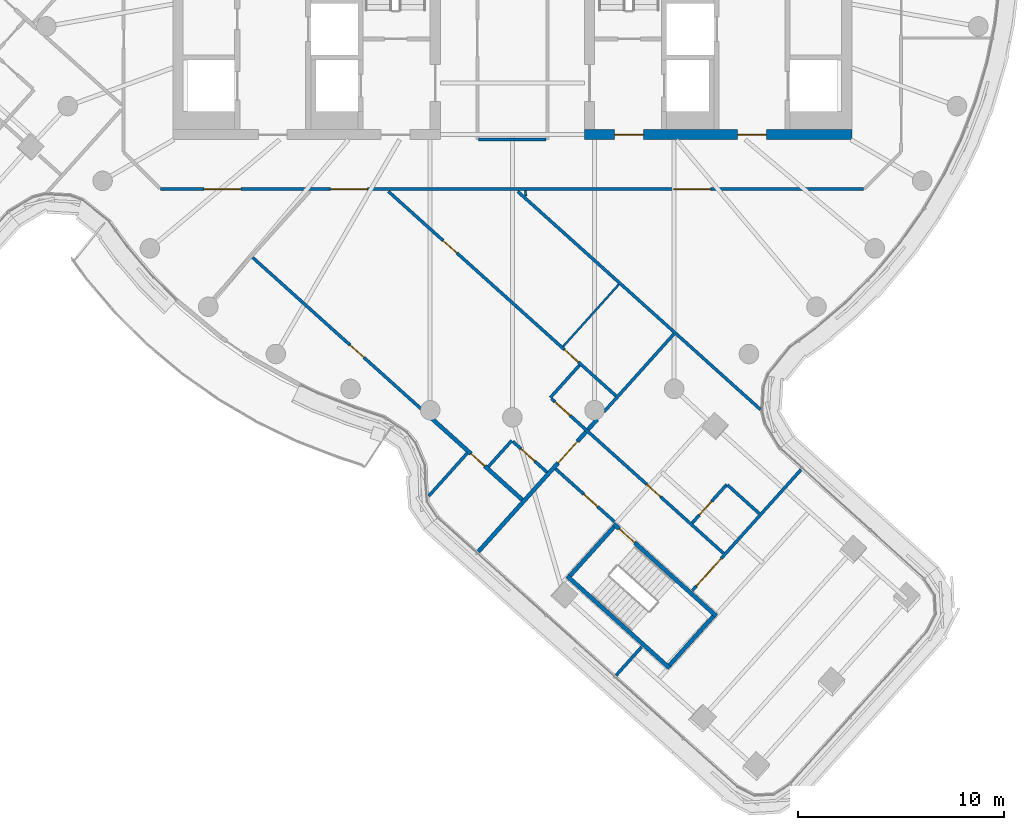
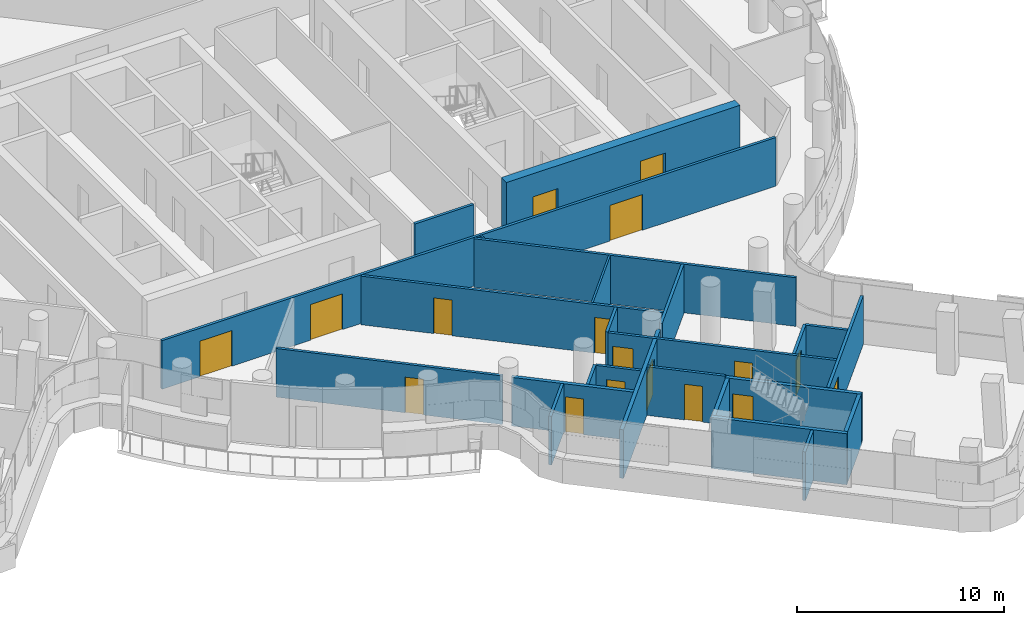
# One storey, part 19 of 31: 25 walls, 17 doors, 17 openings.
"""IFC4 building model written with IfcOpenShell, lengths in metres."""

import ifcopenshell
import ifcopenshell.guid

model = None  # the IFC model being written
_history = None  # IfcOwnerHistory: only IFC2X3 demands one
_inside = {}  # id of a spatial element -> (the spatial element, [elements in it])
_under = {}  # id of a project, library or spatial element -> (it, [spatial elements below it])
_declared = {}  # id of a project -> (the project, [libraries it declares])
_typed = {}  # id of a type object -> (the type object, [elements of that type])
_made_of = {}  # id of a material, layer set ... -> (it, [elements and type objects made of it])


def new_model(schema):
    """Start an empty IFC model of exactly this schema.

    Asked for "IFC4X3", IfcOpenShell would pick the latest addendum, in which some entities
    have other attributes; the version numbers below select the first issue.
    IFC2X3 requires an IfcOwnerHistory on every rooted entity: one is made here for all.
    """
    global model, _history
    if schema == "IFC4X3":
        model = ifcopenshell.file(schema_version=(4, 3, 0, 0))
    else:
        model = ifcopenshell.file(schema=schema)
    _inside.clear()
    _under.clear()
    _declared.clear()
    _typed.clear()
    _made_of.clear()
    _history = None
    if model.schema == "IFC2X3":
        org = make("IfcOrganization", Name="unknown")
        user = make(
            "IfcPersonAndOrganization",
            ThePerson=make("IfcPerson", FamilyName="unknown"),
            TheOrganization=org,
        )
        app = make(
            "IfcApplication",
            ApplicationDeveloper=org,
            Version="unknown",
            ApplicationFullName="unknown",
            ApplicationIdentifier="unknown",
        )
        _history = make(
            "IfcOwnerHistory",
            OwningUser=user,
            OwningApplication=app,
            ChangeAction="ADDED",
            CreationDate=0,
        )
    return model


def make(cls, **values):
    """One entity of the class cls with the attributes given. An attribute that is None is left unset."""
    return model.create_entity(
        cls, **{name: value for name, value in values.items() if value is not None}
    )


def rooted(cls, **values):
    """An entity with a GlobalId (a new one), such as an element, a storey or a relation."""
    return make(cls, GlobalId=ifcopenshell.guid.new(), OwnerHistory=_history, **values)


def si_unit(unit_type, name, prefix=None):
    """IfcSIUnit, for example si_unit("LENGTHUNIT", "METRE", prefix="MILLI")."""
    return make("IfcSIUnit", UnitType=unit_type, Prefix=prefix, Name=name)


def assignment(units):
    """IfcUnitAssignment: the units of a project."""
    return None if units is None else make("IfcUnitAssignment", Units=units)


def point(xyz):
    """IfcCartesianPoint."""
    return None if xyz is None else make("IfcCartesianPoint", Coordinates=xyz)


def direction(xyz):
    """IfcDirection."""
    return None if xyz is None else make("IfcDirection", DirectionRatios=xyz)


def frame(location, z_axis=None, x_axis=None):
    """IfcAxis2Placement3D, a coordinate frame: its origin and axes. An axis left out is left unset."""
    return make(
        "IfcAxis2Placement3D",
        Location=point(location),
        Axis=direction(z_axis),
        RefDirection=direction(x_axis),
    )


def frame_2d(location, x_axis=None):
    """IfcAxis2Placement2D, a coordinate frame in the plane: its origin and x axis."""
    return make(
        "IfcAxis2Placement2D", Location=point(location), RefDirection=direction(x_axis)
    )


def origin():
    """The frame at (0, 0, 0) with its axes left unset."""
    return frame((0.0, 0.0, 0.0))


def place(relative_to, where):
    """IfcLocalPlacement: puts the frame where relative to a parent placement (None: the world)."""
    return make(
        "IfcLocalPlacement", PlacementRelTo=relative_to, RelativePlacement=where
    )


def context(
    kind, dimensions, precision=None, world=None, true_north=None, identifier=None
):
    """IfcGeometricRepresentationContext, for example the 3D "Model" context."""
    return make(
        "IfcGeometricRepresentationContext",
        ContextIdentifier=identifier,
        ContextType=kind,
        CoordinateSpaceDimension=dimensions,
        Precision=precision,
        WorldCoordinateSystem=world,
        TrueNorth=true_north,
    )


def subcontext(parent, identifier, kind, view, scale=None):
    """IfcGeometricRepresentationSubContext, for example "Body" below "Model"."""
    return make(
        "IfcGeometricRepresentationSubContext",
        ContextIdentifier=identifier,
        ContextType=kind,
        ParentContext=parent,
        TargetScale=scale,
        TargetView=view,
    )


def project(units=None, contexts=None):
    """IfcProject with its units and contexts."""
    return rooted(
        "IfcProject",
        Name="project",
        RepresentationContexts=contexts,
        UnitsInContext=assignment(units),
    )


def spatial(cls, under=None, at=None, **own):
    """A site, building, storey or space (cls), placed at a placement, below another one or the project."""
    s = rooted(cls, ObjectPlacement=at, **own)
    if under is not None:
        _under.setdefault(under.id(), (under, []))[1].append(s)
    return s


def polyline(points):
    """IfcPolyline through the points."""
    return make("IfcPolyline", Points=[point(p) for p in points])


def profile(cls, at=None, kind="AREA", **sizes):
    """A parametric profile (cls). Its sizes go by their IFC names, for example OverallWidth=200.0."""
    return make(cls, ProfileType=kind, Position=at, **sizes)


def rectangle(**sizes):
    """IfcRectangleProfileDef."""
    return profile("IfcRectangleProfileDef", **sizes)


def outline(outer, holes=None, kind="AREA"):
    """IfcArbitraryClosedProfileDef: a profile drawn as a closed curve; with holes, ...WithVoids."""
    if holes is None:
        return make("IfcArbitraryClosedProfileDef", ProfileType=kind, OuterCurve=outer)
    return make(
        "IfcArbitraryProfileDefWithVoids",
        ProfileType=kind,
        OuterCurve=outer,
        InnerCurves=holes,
    )


def extrude(swept, where, along, depth):
    """IfcExtrudedAreaSolid: the profile swept, set in the frame where, extruded along a direction by depth."""
    return make(
        "IfcExtrudedAreaSolid",
        SweptArea=swept,
        Position=where,
        ExtrudedDirection=direction(along),
        Depth=depth,
    )


def shape(context_of_items, identifier, shape_type, items):
    """IfcShapeRepresentation: the items that make up one representation, for example the "Body"."""
    return make(
        "IfcShapeRepresentation",
        ContextOfItems=context_of_items,
        RepresentationIdentifier=identifier,
        RepresentationType=shape_type,
        Items=items,
    )


def material(Name=None, Category=None):
    """IfcMaterial."""
    return make("IfcMaterial", Name=Name, Category=Category)


def layer(
    of_material, thickness, ventilated=None, Name=None, Category=None, Priority=None
):
    """IfcMaterialLayer: one layer of a wall or slab, of a material (None: an air gap)."""
    return make(
        "IfcMaterialLayer",
        Material=of_material,
        LayerThickness=thickness,
        IsVentilated=ventilated,
        Name=Name,
        Category=Category,
        Priority=Priority,
    )


def layer_set(layers, Name=None):
    """IfcMaterialLayerSet."""
    return make("IfcMaterialLayerSet", MaterialLayers=layers, LayerSetName=Name)


def made_of(thing, what):
    """Note that an element or type object is made of a material, layer set ...; save() writes the relation."""
    if what is not None:
        _made_of.setdefault(what.id(), (what, []))[1].append(thing)
    return thing


def type_object(cls, material=None, **own):
    """A type object (cls), such as IfcWallType, which elements share."""
    return made_of(rooted(cls, **own), material)


def element(
    cls,
    number,
    at=None,
    inside=None,
    cuts=None,
    type_object=None,
    material=None,
    context=None,
    identifier="Body",
    shape_type=None,
    held_by="IfcProductDefinitionShape",
    body=None,
    shapes=None,
    **own,
):
    """One element of the class cls, such as IfcWall. Its Tag is "e" and its number.

    at: its placement. inside: the storey or other place that contains it. cuts: it is an
    opening in that element (IfcRelVoidsElement). A single representation is given by context,
    identifier, shape_type and body (its items); several are given by shapes. held_by: the class
    of the entity that holds the representations. save() writes the other relations.
    """
    e = rooted(cls, Tag="e%d" % number, ObjectPlacement=at, **own)
    if body is not None:
        shapes = [shape(context, identifier, shape_type, body)]
    if shapes is not None:
        e.Representation = make(held_by, Representations=shapes)
    if inside is not None:
        _inside.setdefault(inside.id(), (inside, []))[1].append(e)
    if cuts is not None:
        rooted(
            "IfcRelVoidsElement", RelatingBuildingElement=cuts, RelatedOpeningElement=e
        )
    if type_object is not None:
        _typed.setdefault(type_object.id(), (type_object, []))[1].append(e)
    return made_of(e, material)


def fill(opening, filler):
    """IfcRelFillsElement: the door or window that sits in an opening."""
    return rooted(
        "IfcRelFillsElement",
        RelatingOpeningElement=opening,
        RelatedBuildingElement=filler,
    )


def aggregate(whole, parts):
    """IfcRelAggregates: a whole, such as a stair, and the parts it consists of."""
    return rooted("IfcRelAggregates", RelatingObject=whole, RelatedObjects=parts)


def save(model, path):
    """Write the relations noted so far, then the file.

    IfcRelAggregates (storeys below a building ...), IfcRelContainedInSpatialStructure (elements
    in a storey), IfcRelDefinesByType, IfcRelAssociatesMaterial and IfcRelDeclares: one each for
    every whole, place, type object, material and project.
    """
    for whole, parts in _under.values():
        aggregate(whole, parts)
    for where, things in _inside.values():
        rooted(
            "IfcRelContainedInSpatialStructure",
            RelatedElements=things,
            RelatingStructure=where,
        )
    for kind, things in _typed.values():
        rooted("IfcRelDefinesByType", RelatedObjects=things, RelatingType=kind)
    for what, things in _made_of.values():
        rooted("IfcRelAssociatesMaterial", RelatedObjects=things, RelatingMaterial=what)
    for by, libraries in _declared.values():
        rooted("IfcRelDeclares", RelatingContext=by, RelatedDefinitions=libraries)
    model.write(path)


model = new_model("IFC4")

# Units and contexts
model_context = context("Model", 3, precision=1e-05, world=origin(), true_north=direction((0.0, 1.0)))
body_context = subcontext(model_context, "Body", "Model", "MODEL_VIEW")
ifc_project = project(units=[si_unit("LENGTHUNIT", "METRE"), si_unit("AREAUNIT", "SQUARE_METRE"), si_unit("VOLUMEUNIT", "CUBIC_METRE"), si_unit("PLANEANGLEUNIT", "RADIAN"), si_unit("MASSUNIT", "GRAM", prefix="KILO")], contexts=[model_context])

# Site, building, storey
site_placement = place(None, origin())
site = spatial("IfcSite", under=ifc_project, at=site_placement, CompositionType="ELEMENT")
building_placement = place(site_placement, origin())
building = spatial("IfcBuilding", under=site, at=building_placement, Name="Tamarind Cross Interchange Tower", CompositionType="ELEMENT")
storey_placement = place(building_placement, frame((0.0, 0.0, 207.699951171875)))
storey = spatial("IfcBuildingStorey", under=building, at=storey_placement, Name="L52", CompositionType="ELEMENT", Elevation=207.699951171875)

# Wall, openings, doors
ifc_material_1 = material(Name="Concrete C55", Category="concrete")
ifc_layer_1 = layer(ifc_material_1, 0.5)
ifc_layer_set_1 = layer_set([ifc_layer_1], Name="Concrete C55")
wall_type_1 = type_object("IfcWallType", Name="Core wall 500 mm Concrete C55", PredefinedType="SHEAR", material=ifc_layer_set_1)
wall_1_placement = place(storey_placement, frame((16.5, -9.25, 0.0), z_axis=(0.0, 0.0, 1.0), x_axis=(-1.0, 0.0, 0.0)))
wall_1 = element("IfcWall", 1, at=wall_1_placement, inside=storey, type_object=wall_type_1, Name="Core wall CWL-L52-E-S", PredefinedType="SHEAR", context=body_context, shape_type="SweptSolid", body=[
    extrude(rectangle(XDim=13.0, YDim=0.5, at=frame_2d((6.5, 0.0))), origin(), (0.0, 0.0, 1.0), 3.4599609375),
])
opening_1_placement = place(wall_1_placement, frame((4.14990234375, 0.0, 0.0)))
opening_1 = element("IfcOpeningElement", 2, at=opening_1_placement, cuts=wall_1, Name="Opening DCE1", PredefinedType="OPENING", context=body_context, shape_type="SweptSolid", body=[
    extrude(rectangle(XDim=1.39990234375, YDim=2.10009765625, at=frame_2d((0.699951171875, 1.050048828125))), frame((0.0, 0.260009765625, 0.0), z_axis=(0.0, -1.0, 0.0), x_axis=(1.0, 0.0, 0.0)), (0.0, 0.0, 1.0), 0.52001953125),
])
opening_2_placement = place(wall_1_placement, frame((10.125, 0.0, 0.0)))
opening_2 = element("IfcOpeningElement", 3, at=opening_2_placement, cuts=wall_1, Name="Opening DCEF", PredefinedType="OPENING", context=body_context, shape_type="SweptSolid", body=[
    extrude(rectangle(XDim=1.39990234375, YDim=2.10009765625, at=frame_2d((0.699951171875, 1.050048828125))), frame((0.0, 0.260009765625, 0.0), z_axis=(0.0, -1.0, 0.0), x_axis=(1.0, 0.0, 0.0)), (0.0, 0.0, 1.0), 0.52001953125),
])
ifc_material_2 = material(Name="Steel, fire-resisting", Category="steel")
door_type_1 = type_object("IfcDoorType", Name="Core fire door 1400 x 2100 FD90", OperationType="SINGLE_SWING_LEFT", PredefinedType="DOOR", material=ifc_material_2)
door_1_placement = place(opening_1_placement, origin())
door_1 = element("IfcDoor", 4, at=door_1_placement, inside=storey, type_object=door_type_1, Name="L52 lift lobby door", OperationType="SINGLE_SWING_LEFT", OverallHeight=2.10009765625, OverallWidth=1.39990234375, PredefinedType="DOOR", context=body_context, shape_type="SweptSolid", body=[
    extrude(rectangle(XDim=1.39990234375, YDim=2.10009765625, at=frame_2d((0.699951171875, 1.050048828125))), frame((0.0, 0.02490234375, 0.0), z_axis=(0.0, -1.0, 0.0), x_axis=(1.0, 0.0, 0.0)), (0.0, 0.0, 1.0), 0.050048828125),
])
fill(opening_1, door_1)
door_2_placement = place(opening_2_placement, origin())
door_2 = element("IfcDoor", 5, at=door_2_placement, inside=storey, type_object=door_type_1, Name="L52 firefighting lobby end door", OperationType="SINGLE_SWING_LEFT", OverallHeight=2.10009765625, OverallWidth=1.39990234375, PredefinedType="DOOR", context=body_context, shape_type="SweptSolid", body=[
    extrude(rectangle(XDim=1.39990234375, YDim=2.10009765625, at=frame_2d((0.699951171875, 1.050048828125))), frame((0.0, 0.02490234375, 0.0), z_axis=(0.0, -1.0, 0.0), x_axis=(1.0, 0.0, 0.0)), (0.0, 0.0, 1.0), 0.050048828125),
])
fill(opening_2, door_2)

# Walls
ifc_material_3 = material(Name="Gypsum board partition on steel studs", Category="steel")
ifc_layer_2 = layer(ifc_material_3, 0.10009765625)
ifc_layer_set_2 = layer_set([ifc_layer_2], Name="Gypsum board partition on steel studs")
wall_type_2 = type_object("IfcWallType", Name="Partition 100 mm EI 90", PredefinedType="PARTITIONING", material=ifc_layer_set_2)
wall_2_placement = place(storey_placement, frame((0.639404296875, -11.9599609375, 0.0), z_axis=(0.0, 0.0, 1.0), x_axis=(0.05343233318, -0.99857147254, 0.0)))
element("IfcWall", 6, at=wall_2_placement, inside=storey, type_object=wall_type_2, Name="Partition L52-001", PredefinedType="PARTITIONING", context=body_context, shape_type="SweptSolid", body=[
    extrude(rectangle(XDim=0.27880859375, YDim=0.10009765625, at=frame_2d((0.139404296875, 0.0))), origin(), (0.0, 0.0, 1.0), 2.864013671875),
])
wall_3_placement = place(storey_placement, frame((2.4736328125, -19.544921875, 0.0), z_axis=(0.0, 0.0, 1.0), x_axis=(0.668257628932, 0.74392993042, 0.0)))
element("IfcWall", 7, at=wall_3_placement, inside=storey, type_object=wall_type_2, Name="Partition L52-056", PredefinedType="PARTITIONING", context=body_context, shape_type="SweptSolid", body=[
    extrude(rectangle(XDim=4.045654296875, YDim=0.10009765625, at=frame_2d((2.02294921875, 0.0))), origin(), (0.0, 0.0, 1.0), 2.864013671875),
])

# Wall, opening, door
ifc_layer_3 = layer(ifc_material_3, 0.14990234375)
ifc_layer_set_3 = layer_set([ifc_layer_3], Name="Gypsum board partition on steel studs")
wall_type_3 = type_object("IfcWallType", Name="Partition 150 mm EI 120", PredefinedType="PARTITIONING", material=ifc_layer_set_3)
wall_4_placement = place(storey_placement, frame((-12.62646484375, -15.2255859375, 0.0), z_axis=(0.0, 0.0, 1.0), x_axis=(0.743821581371, -0.668378227567, 0.0)))
wall_4 = element("IfcWall", 8, at=wall_4_placement, inside=storey, type_object=wall_type_3, Name="Partition L52-015", PredefinedType="PARTITIONING", context=body_context, shape_type="SweptSolid", body=[
    extrude(rectangle(XDim=11.157958984375, YDim=0.14990234375, at=frame_2d((5.5791015625, 0.0))), origin(), (0.0, 0.0, 1.0), 2.864013671875),
])
opening_3_placement = place(wall_4_placement, frame((6.3701171875, 0.0, 0.0)))
opening_3 = element("IfcOpeningElement", 9, at=opening_3_placement, cuts=wall_4, Name="Opening D08", PredefinedType="OPENING", context=body_context, shape_type="SweptSolid", body=[
    extrude(rectangle(XDim=0.89990234375, YDim=2.10009765625, at=frame_2d((0.449951171875, 1.050048828125))), frame((0.0, 0.0849609375, 0.0), z_axis=(0.0, -1.0, 0.0), x_axis=(1.0, 0.0, 0.0)), (0.0, 0.0, 1.0), 0.169921875),
])
ifc_material_4 = material(Name="Fire-resisting door set")
door_type_2 = type_object("IfcDoorType", Name="Interior door 900 x 2100 FD60S", OperationType="SINGLE_SWING_LEFT", PredefinedType="DOOR", material=ifc_material_4)
door_3_placement = place(opening_3_placement, frame((0.89990234375, 0.0, 0.0), z_axis=(0.0, 0.0, 1.0), x_axis=(-1.0, 0.0, 0.0)))
door_3 = element("IfcDoor", 10, at=door_3_placement, inside=storey, type_object=door_type_2, Name="Door D08", OperationType="SINGLE_SWING_RIGHT", OverallHeight=2.10009765625, OverallWidth=0.89990234375, PredefinedType="DOOR", context=body_context, shape_type="SweptSolid", body=[
    extrude(rectangle(XDim=0.89990234375, YDim=2.10009765625, at=frame_2d((0.449951171875, 1.050048828125))), frame((0.0, 0.02490234375, 0.0), z_axis=(0.0, -1.0, 0.0), x_axis=(1.0, 0.0, 0.0)), (0.0, 0.0, 1.0), 0.050048828125),
])
fill(opening_3, door_3)

# Wall, openings, doors
wall_5_placement = place(storey_placement, frame((-6.027587890625, -12.013671875, 0.0), z_axis=(0.0, 0.0, 1.0), x_axis=(0.743847907663, -0.668348928528, 0.0)))
wall_5 = element("IfcWall", 11, at=wall_5_placement, inside=storey, type_object=wall_type_3, Name="Partition L52-021", PredefinedType="PARTITIONING", context=body_context, shape_type="SweptSolid", body=[
    extrude(rectangle(XDim=14.878173828125, YDim=0.14990234375, at=frame_2d((7.43896484375, 0.0))), origin(), (0.0, 0.0, 1.0), 2.864013671875),
])
opening_4_placement = place(wall_5_placement, frame((11.508056640625, 0.0, 0.0)))
opening_4 = element("IfcOpeningElement", 12, at=opening_4_placement, cuts=wall_5, Name="Opening D11", PredefinedType="OPENING", context=body_context, shape_type="SweptSolid", body=[
    extrude(rectangle(XDim=0.89990234375, YDim=2.10009765625, at=frame_2d((0.449951171875, 1.050048828125))), frame((0.0, 0.0849609375, 0.0), z_axis=(0.0, -1.0, 0.0), x_axis=(1.0, 0.0, 0.0)), (0.0, 0.0, 1.0), 0.169921875),
])
opening_5_placement = place(wall_5_placement, frame((3.580078125, 0.0, 0.0)))
opening_5 = element("IfcOpeningElement", 13, at=opening_5_placement, cuts=wall_5, Name="Opening D12", PredefinedType="OPENING", context=body_context, shape_type="SweptSolid", body=[
    extrude(rectangle(XDim=0.89990234375, YDim=2.10009765625, at=frame_2d((0.449951171875, 1.050048828125))), frame((0.0, 0.0849609375, 0.0), z_axis=(0.0, -1.0, 0.0), x_axis=(1.0, 0.0, 0.0)), (0.0, 0.0, 1.0), 0.169921875),
])
door_4_placement = place(opening_4_placement, origin())
door_4 = element("IfcDoor", 14, at=door_4_placement, inside=storey, type_object=door_type_2, Name="Door D11", OperationType="SINGLE_SWING_LEFT", OverallHeight=2.10009765625, OverallWidth=0.89990234375, PredefinedType="DOOR", context=body_context, shape_type="SweptSolid", body=[
    extrude(rectangle(XDim=0.89990234375, YDim=2.10009765625, at=frame_2d((0.449951171875, 1.050048828125))), frame((0.0, 0.02490234375, 0.0), z_axis=(0.0, -1.0, 0.0), x_axis=(1.0, 0.0, 0.0)), (0.0, 0.0, 1.0), 0.050048828125),
])
fill(opening_4, door_4)
door_5_placement = place(opening_5_placement, origin())
door_5 = element("IfcDoor", 15, at=door_5_placement, inside=storey, type_object=door_type_2, Name="Door D12", OperationType="SINGLE_SWING_RIGHT", OverallHeight=2.10009765625, OverallWidth=0.89990234375, PredefinedType="DOOR", context=body_context, shape_type="SweptSolid", body=[
    extrude(rectangle(XDim=0.89990234375, YDim=2.10009765625, at=frame_2d((0.449951171875, 1.050048828125))), frame((0.0, 0.02490234375, 0.0), z_axis=(0.0, -1.0, 0.0), x_axis=(1.0, 0.0, 0.0)), (0.0, 0.0, 1.0), 0.050048828125),
])
fill(opening_5, door_5)

# Wall, opening, door
wall_6_placement = place(storey_placement, frame((0.02783203125, -24.176025390625, 0.0), z_axis=(0.0, 0.0, 1.0), x_axis=(0.743795937291, -0.668406765128, 0.0)))
wall_6 = element("IfcWall", 16, at=wall_6_placement, inside=storey, type_object=wall_type_3, Name="Partition L52-025", PredefinedType="PARTITIONING", context=body_context, shape_type="SweptSolid", body=[
    extrude(rectangle(XDim=2.224853515625, YDim=0.14990234375, at=frame_2d((1.1123046875, 0.0))), origin(), (0.0, 0.0, 1.0), 2.864013671875),
])
opening_6_placement = place(wall_6_placement, frame((0.52490234375, 0.0, 0.0)))
opening_6 = element("IfcOpeningElement", 17, at=opening_6_placement, cuts=wall_6, Name="Opening D15", PredefinedType="OPENING", context=body_context, shape_type="SweptSolid", body=[
    extrude(rectangle(XDim=0.89990234375, YDim=2.10009765625, at=frame_2d((0.449951171875, 1.050048828125))), frame((0.0, 0.0849609375, 0.0), z_axis=(0.0, -1.0, 0.0), x_axis=(1.0, 0.0, 0.0)), (0.0, 0.0, 1.0), 0.169921875),
])
door_6_placement = place(opening_6_placement, frame((0.89990234375, 0.0, 0.0), z_axis=(0.0, 0.0, 1.0), x_axis=(-1.0, 0.0, 0.0)))
door_6 = element("IfcDoor", 18, at=door_6_placement, inside=storey, type_object=door_type_2, Name="Door D15", OperationType="SINGLE_SWING_LEFT", OverallHeight=2.10009765625, OverallWidth=0.89990234375, PredefinedType="DOOR", context=body_context, shape_type="SweptSolid", body=[
    extrude(rectangle(XDim=0.89990234375, YDim=2.10009765625, at=frame_2d((0.449951171875, 1.050048828125))), frame((0.0, 0.02490234375, 0.0), z_axis=(0.0, -1.0, 0.0), x_axis=(1.0, 0.0, 0.0)), (0.0, 0.0, 1.0), 0.050048828125),
])
fill(opening_6, door_6)

# Wall
wall_7_placement = place(storey_placement, frame((0.256591796875, -12.013671875, 0.0), z_axis=(0.0, 0.0, 1.0), x_axis=(0.743888362664, -0.668303900851, 0.0)))
element("IfcWall", 19, at=wall_7_placement, inside=storey, type_object=wall_type_3, Name="Partition L52-026", PredefinedType="PARTITIONING", context=body_context, shape_type="SweptSolid", body=[
    extrude(rectangle(XDim=15.865966796875, YDim=0.14990234375, at=frame_2d((7.93310546875, 0.0))), origin(), (0.0, 0.0, 1.0), 2.864013671875),
])

# Wall, openings, doors
wall_8_placement = place(storey_placement, frame((1.902587890625, -22.096435546875, 0.0), z_axis=(0.0, 0.0, 1.0), x_axis=(0.743993617253, -0.668186723518, 0.0)))
wall_8 = element("IfcWall", 20, at=wall_8_placement, inside=storey, type_object=wall_type_3, Name="Partition L52-027", PredefinedType="PARTITIONING", context=body_context, shape_type="SweptSolid", body=[
    extrude(rectangle(XDim=11.23974609375, YDim=0.14990234375, at=frame_2d((5.619873046875, 0.0))), origin(), (0.0, 0.0, 1.0), 2.864013671875),
])
opening_7_placement = place(wall_8_placement, frame((0.219970703125, 0.0, 0.0)))
opening_7 = element("IfcOpeningElement", 21, at=opening_7_placement, cuts=wall_8, Name="Opening D16", PredefinedType="OPENING", context=body_context, shape_type="SweptSolid", body=[
    extrude(rectangle(XDim=1.0, YDim=2.10009765625, at=frame_2d((0.5, 1.050048828125))), frame((0.0, 0.0849609375, 0.0), z_axis=(0.0, -1.0, 0.0), x_axis=(1.0, 0.0, 0.0)), (0.0, 0.0, 1.0), 0.169921875),
])
opening_8_placement = place(wall_8_placement, frame((6.220458984375, 0.0, 0.0)))
opening_8 = element("IfcOpeningElement", 22, at=opening_8_placement, cuts=wall_8, Name="Opening D17", PredefinedType="OPENING", context=body_context, shape_type="SweptSolid", body=[
    extrude(rectangle(XDim=0.89990234375, YDim=2.10009765625, at=frame_2d((0.449951171875, 1.050048828125))), frame((0.0, 0.0849609375, 0.0), z_axis=(0.0, -1.0, 0.0), x_axis=(1.0, 0.0, 0.0)), (0.0, 0.0, 1.0), 0.169921875),
])
door_type_3 = type_object("IfcDoorType", Name="Interior door 1000 x 2100 FD60S", OperationType="SINGLE_SWING_LEFT", PredefinedType="DOOR", material=ifc_material_4)
door_7_placement = place(opening_7_placement, origin())
door_7 = element("IfcDoor", 23, at=door_7_placement, inside=storey, type_object=door_type_3, Name="Door D16", OperationType="SINGLE_SWING_RIGHT", OverallHeight=2.10009765625, OverallWidth=1.0, PredefinedType="DOOR", context=body_context, shape_type="SweptSolid", body=[
    extrude(rectangle(XDim=1.0, YDim=2.10009765625, at=frame_2d((0.5, 1.050048828125))), frame((0.0, 0.02490234375, 0.0), z_axis=(0.0, -1.0, 0.0), x_axis=(1.0, 0.0, 0.0)), (0.0, 0.0, 1.0), 0.050048828125),
])
fill(opening_7, door_7)
door_8_placement = place(opening_8_placement, origin())
door_8 = element("IfcDoor", 24, at=door_8_placement, inside=storey, type_object=door_type_2, Name="Door D17", OperationType="SINGLE_SWING_LEFT", OverallHeight=2.10009765625, OverallWidth=0.89990234375, PredefinedType="DOOR", context=body_context, shape_type="SweptSolid", body=[
    extrude(rectangle(XDim=0.89990234375, YDim=2.10009765625, at=frame_2d((0.449951171875, 1.050048828125))), frame((0.0, 0.02490234375, 0.0), z_axis=(0.0, -1.0, 0.0), x_axis=(1.0, 0.0, 0.0)), (0.0, 0.0, 1.0), 0.050048828125),
])
fill(opening_8, door_8)

# Wall, opening, door
wall_9_placement = place(storey_placement, frame((2.099365234375, -25.498779296875, 0.0), z_axis=(0.0, 0.0, 1.0), x_axis=(0.743772051114, -0.668433344457, 0.0)))
wall_9 = element("IfcWall", 25, at=wall_9_placement, inside=storey, type_object=wall_type_3, Name="Partition L52-028", PredefinedType="PARTITIONING", context=body_context, shape_type="SweptSolid", body=[
    extrude(rectangle(XDim=3.859619140625, YDim=0.14990234375, at=frame_2d((1.9296875, 0.0))), origin(), (0.0, 0.0, 1.0), 2.864013671875),
])
opening_9_placement = place(wall_9_placement, frame((1.85009765625, 0.0, 0.0)))
opening_9 = element("IfcOpeningElement", 26, at=opening_9_placement, cuts=wall_9, Name="Opening D18", PredefinedType="OPENING", context=body_context, shape_type="SweptSolid", body=[
    extrude(rectangle(XDim=0.89990234375, YDim=2.10009765625, at=frame_2d((0.449951171875, 1.050048828125))), frame((0.0, 0.0849609375, 0.0), z_axis=(0.0, -1.0, 0.0), x_axis=(1.0, 0.0, 0.0)), (0.0, 0.0, 1.0), 0.169921875),
])
door_9_placement = place(opening_9_placement, frame((0.89990234375, 0.0, 0.0), z_axis=(0.0, 0.0, 1.0), x_axis=(-1.0, 0.0, 0.0)))
door_9 = element("IfcDoor", 27, at=door_9_placement, inside=storey, type_object=door_type_2, Name="Door D18", OperationType="SINGLE_SWING_RIGHT", OverallHeight=2.10009765625, OverallWidth=0.89990234375, PredefinedType="DOOR", context=body_context, shape_type="SweptSolid", body=[
    extrude(rectangle(XDim=0.89990234375, YDim=2.10009765625, at=frame_2d((0.449951171875, 1.050048828125))), frame((0.0, 0.02490234375, 0.0), z_axis=(0.0, -1.0, 0.0), x_axis=(1.0, 0.0, 0.0)), (0.0, 0.0, 1.0), 0.050048828125),
])
fill(opening_9, door_9)

# Wall
wall_10_placement = place(storey_placement, frame((10.454833984375, -26.28466796875, 0.0), z_axis=(0.0, 0.0, 1.0), x_axis=(0.74379017593, -0.668413176254, 0.0)))
element("IfcWall", 28, at=wall_10_placement, inside=storey, type_object=wall_type_3, Name="Partition L52-029", PredefinedType="PARTITIONING", context=body_context, shape_type="SweptSolid", body=[
    extrude(rectangle(XDim=2.079345703125, YDim=0.14990234375, at=frame_2d((1.03955078125, 0.0))), origin(), (0.0, 0.0, 1.0), 2.864013671875),
])

# Wall, openings, doors
wall_11_placement = place(storey_placement, frame((-17.10009765625, -11.89990234375, 0.0), z_axis=(0.0, 0.0, 1.0), x_axis=(1.0, 0.0, 0.0)))
wall_11 = element("IfcWall", 29, at=wall_11_placement, inside=storey, type_object=wall_type_3, Name="Partition L52-030", PredefinedType="PARTITIONING", context=body_context, shape_type="SweptSolid", body=[
    extrude(rectangle(XDim=34.1650390625, YDim=0.14990234375, at=frame_2d((17.08251953125, 0.0))), origin(), (0.0, 0.0, 1.0), 2.864013671875),
])
opening_10_placement = place(wall_11_placement, frame((8.25390625, 0.0, 0.0)))
opening_10 = element("IfcOpeningElement", 30, at=opening_10_placement, cuts=wall_11, Name="Opening D19", PredefinedType="OPENING", context=body_context, shape_type="SweptSolid", body=[
    extrude(rectangle(XDim=1.800048828125, YDim=2.10009765625, at=frame_2d((0.89990234375, 1.050048828125))), frame((0.0, 0.0849609375, 0.0), z_axis=(0.0, -1.0, 0.0), x_axis=(1.0, 0.0, 0.0)), (0.0, 0.0, 1.0), 0.169921875),
])
opening_11_placement = place(wall_11_placement, frame((2.10009765625, 0.0, 0.0)))
opening_11 = element("IfcOpeningElement", 31, at=opening_11_placement, cuts=wall_11, Name="Opening D20", PredefinedType="OPENING", context=body_context, shape_type="SweptSolid", body=[
    extrude(rectangle(XDim=1.800048828125, YDim=2.10009765625, at=frame_2d((0.89990234375, 1.050048828125))), frame((0.0, 0.0849609375, 0.0), z_axis=(0.0, -1.0, 0.0), x_axis=(1.0, 0.0, 0.0)), (0.0, 0.0, 1.0), 0.169921875),
])
opening_12_placement = place(wall_11_placement, frame((24.93603515625, 0.0, 0.0)))
opening_12 = element("IfcOpeningElement", 32, at=opening_12_placement, cuts=wall_11, Name="Opening D21", PredefinedType="OPENING", context=body_context, shape_type="SweptSolid", body=[
    extrude(rectangle(XDim=1.800048828125, YDim=2.10009765625, at=frame_2d((0.89990234375, 1.050048828125))), frame((0.0, 0.0849609375, 0.0), z_axis=(0.0, -1.0, 0.0), x_axis=(1.0, 0.0, 0.0)), (0.0, 0.0, 1.0), 0.169921875),
])
door_type_4 = type_object("IfcDoorType", Name="Interior door 1800 x 2100 FD60S", OperationType="DOUBLE_DOOR_SINGLE_SWING", PredefinedType="DOOR", material=ifc_material_4)
door_10_placement = place(opening_10_placement, origin())
door_10 = element("IfcDoor", 33, at=door_10_placement, inside=storey, type_object=door_type_4, Name="Door D19", OperationType="DOUBLE_DOOR_SINGLE_SWING", OverallHeight=2.10009765625, OverallWidth=1.800048828125, PredefinedType="DOOR", context=body_context, shape_type="SweptSolid", body=[
    extrude(rectangle(XDim=1.800048828125, YDim=2.10009765625, at=frame_2d((0.89990234375, 1.050048828125))), frame((0.0, 0.02490234375, 0.0), z_axis=(0.0, -1.0, 0.0), x_axis=(1.0, 0.0, 0.0)), (0.0, 0.0, 1.0), 0.050048828125),
])
fill(opening_10, door_10)
door_11_placement = place(opening_11_placement, frame((1.800048828125, 0.0, 0.0), z_axis=(0.0, 0.0, 1.0), x_axis=(-1.0, 0.0, 0.0)))
door_11 = element("IfcDoor", 34, at=door_11_placement, inside=storey, type_object=door_type_4, Name="Door D20", OperationType="DOUBLE_DOOR_SINGLE_SWING", OverallHeight=2.10009765625, OverallWidth=1.800048828125, PredefinedType="DOOR", context=body_context, shape_type="SweptSolid", body=[
    extrude(rectangle(XDim=1.800048828125, YDim=2.10009765625, at=frame_2d((0.89990234375, 1.050048828125))), frame((0.0, 0.02490234375, 0.0), z_axis=(0.0, -1.0, 0.0), x_axis=(1.0, 0.0, 0.0)), (0.0, 0.0, 1.0), 0.050048828125),
])
fill(opening_11, door_11)
door_12_placement = place(opening_12_placement, frame((1.800048828125, 0.0, 0.0), z_axis=(0.0, 0.0, 1.0), x_axis=(-1.0, 0.0, 0.0)))
door_12 = element("IfcDoor", 35, at=door_12_placement, inside=storey, type_object=door_type_4, Name="Door D21", OperationType="DOUBLE_DOOR_SINGLE_SWING", OverallHeight=2.10009765625, OverallWidth=1.800048828125, PredefinedType="DOOR", context=body_context, shape_type="SweptSolid", body=[
    extrude(rectangle(XDim=1.800048828125, YDim=2.10009765625, at=frame_2d((0.89990234375, 1.050048828125))), frame((0.0, 0.02490234375, 0.0), z_axis=(0.0, -1.0, 0.0), x_axis=(1.0, 0.0, 0.0)), (0.0, 0.0, 1.0), 0.050048828125),
])
fill(opening_12, door_12)

# Walls
wall_12_placement = place(storey_placement, frame((-1.639892578125, -9.5, 0.0), z_axis=(0.0, 0.0, 1.0), x_axis=(1.0, 0.0, 0.0)))
element("IfcWall", 36, at=wall_12_placement, inside=storey, type_object=wall_type_3, Name="Partition L52-032", PredefinedType="PARTITIONING", context=body_context, shape_type="SweptSolid", body=[
    extrude(rectangle(XDim=3.27978515625, YDim=0.14990234375, at=frame_2d((1.639892578125, 0.0))), origin(), (0.0, 0.0, 1.0), 2.864013671875),
])
wall_13_placement = place(storey_placement, frame((-4.06640625, -26.8251953125, 0.0), z_axis=(0.0, 0.0, 1.0), x_axis=(0.668253130182, 0.743933971533, 0.0)))
element("IfcWall", 37, at=wall_13_placement, inside=storey, type_object=wall_type_3, Name="Partition L52-055", PredefinedType="PARTITIONING", context=body_context, shape_type="SweptSolid", body=[
    extrude(rectangle(XDim=2.806640625, YDim=0.14990234375, at=frame_2d((1.4033203125, 0.0))), origin(), (0.0, 0.0, 1.0), 2.864013671875),
])
wall_14_placement = place(storey_placement, frame((4.4599609375, -22.7216796875, 0.0), z_axis=(0.0, 0.0, 1.0), x_axis=(0.668268268687, 0.7439203728, 0.0)))
element("IfcWall", 38, at=wall_14_placement, inside=storey, type_object=wall_type_3, Name="Partition L52-058", PredefinedType="PARTITIONING", context=body_context, shape_type="SweptSolid", body=[
    extrude(rectangle(XDim=5.076416015625, YDim=0.14990234375, at=frame_2d((2.5380859375, 0.0))), origin(), (0.0, 0.0, 1.0), 2.864013671875),
])
wall_15_placement = place(storey_placement, frame((-1.164306640625, -25.390625, 0.0), z_axis=(0.0, 0.0, 1.0), x_axis=(0.668329776991, 0.743865114915, 0.0)))
element("IfcWall", 39, at=wall_15_placement, inside=storey, type_object=wall_type_3, Name="Partition L52-059", PredefinedType="PARTITIONING", context=body_context, shape_type="SweptSolid", body=[
    extrude(rectangle(XDim=1.7001953125, YDim=0.14990234375, at=frame_2d((0.85009765625, 0.0))), origin(), (0.0, 0.0, 1.0), 2.864013671875),
])
wall_16_placement = place(storey_placement, frame((1.84326171875, -22.043212890625, 0.0), z_axis=(0.0, 0.0, 1.0), x_axis=(0.668264577011, 0.743923689038, 0.0)))
element("IfcWall", 40, at=wall_16_placement, inside=storey, type_object=wall_type_3, Name="Partition L52-060", PredefinedType="PARTITIONING", context=body_context, shape_type="SweptSolid", body=[
    extrude(rectangle(XDim=2.1201171875, YDim=0.14990234375, at=frame_2d((1.06005859375, 0.0))), origin(), (0.0, 0.0, 1.0), 2.864013671875),
])
wall_17_placement = place(storey_placement, frame((5.044189453125, -35.537841796875, 0.0), z_axis=(0.0, 0.0, 1.0), x_axis=(0.668405789565, 0.743796813973, 0.0)))
element("IfcWall", 41, at=wall_17_placement, inside=storey, type_object=wall_type_3, Name="Partition L52-061", PredefinedType="PARTITIONING", context=body_context, shape_type="SweptSolid", body=[
    extrude(rectangle(XDim=1.85888671875, YDim=0.14990234375, at=frame_2d((0.929443359375, 0.0))), origin(), (0.0, 0.0, 1.0), 2.864013671875),
])

# Wall, opening, door
wall_18_placement = place(storey_placement, frame((8.746826171875, -31.41845703125, 0.0), z_axis=(0.0, 0.0, 1.0), x_axis=(0.668477757984, 0.743732133958, 0.0)))
wall_18 = element("IfcWall", 42, at=wall_18_placement, inside=storey, type_object=wall_type_3, Name="Partition L52-062", PredefinedType="PARTITIONING", context=body_context, shape_type="SweptSolid", body=[
    extrude(rectangle(XDim=7.896484375, YDim=0.14990234375, at=frame_2d((3.9482421875, 0.0))), origin(), (0.0, 0.0, 1.0), 2.864013671875),
])
opening_13_placement = place(wall_18_placement, frame((0.300048828125, 0.0, 0.0)))
opening_13 = element("IfcOpeningElement", 43, at=opening_13_placement, cuts=wall_18, Name="Opening D36", PredefinedType="OPENING", context=body_context, shape_type="SweptSolid", body=[
    extrude(rectangle(XDim=1.800048828125, YDim=2.10009765625, at=frame_2d((0.89990234375, 1.050048828125))), frame((0.0, 0.0849609375, 0.0), z_axis=(0.0, -1.0, 0.0), x_axis=(1.0, 0.0, 0.0)), (0.0, 0.0, 1.0), 0.169921875),
])
door_13_placement = place(opening_13_placement, frame((1.800048828125, 0.0, 0.0), z_axis=(0.0, 0.0, 1.0), x_axis=(-1.0, 0.0, 0.0)))
door_13 = element("IfcDoor", 44, at=door_13_placement, inside=storey, type_object=door_type_4, Name="Door D36", OperationType="DOUBLE_DOOR_SINGLE_SWING", OverallHeight=2.10009765625, OverallWidth=1.800048828125, PredefinedType="DOOR", context=body_context, shape_type="SweptSolid", body=[
    extrude(rectangle(XDim=1.800048828125, YDim=2.10009765625, at=frame_2d((0.89990234375, 1.050048828125))), frame((0.0, 0.02490234375, 0.0), z_axis=(0.0, -1.0, 0.0), x_axis=(1.0, 0.0, 0.0)), (0.0, 0.0, 1.0), 0.050048828125),
])
fill(opening_13, door_13)

wall_19_placement = place(storey_placement, frame((8.740478515625, -28.132568359375, 0.0), z_axis=(0.0, 0.0, 1.0), x_axis=(0.668418641187, 0.743785264787, 0.0)))
wall_19 = element("IfcWall", 45, at=wall_19_placement, inside=storey, type_object=wall_type_3, Name="Partition L52-063", PredefinedType="PARTITIONING", context=body_context, shape_type="SweptSolid", body=[
    extrude(rectangle(XDim=2.520263671875, YDim=0.14990234375, at=frame_2d((1.26025390625, 0.0))), origin(), (0.0, 0.0, 1.0), 2.864013671875),
])
opening_14_placement = place(wall_19_placement, frame((0.52001953125, 0.0, 0.0)))
opening_14 = element("IfcOpeningElement", 46, at=opening_14_placement, cuts=wall_19, Name="Opening D37", PredefinedType="OPENING", context=body_context, shape_type="SweptSolid", body=[
    extrude(rectangle(XDim=0.89990234375, YDim=2.10009765625, at=frame_2d((0.449951171875, 1.050048828125))), frame((0.0, 0.0849609375, 0.0), z_axis=(0.0, -1.0, 0.0), x_axis=(1.0, 0.0, 0.0)), (0.0, 0.0, 1.0), 0.169921875),
])
door_14_placement = place(opening_14_placement, frame((0.89990234375, 0.0, 0.0), z_axis=(0.0, 0.0, 1.0), x_axis=(-1.0, 0.0, 0.0)))
door_14 = element("IfcDoor", 47, at=door_14_placement, inside=storey, type_object=door_type_2, Name="Door D37", OperationType="SINGLE_SWING_LEFT", OverallHeight=2.10009765625, OverallWidth=0.89990234375, PredefinedType="DOOR", context=body_context, shape_type="SweptSolid", body=[
    extrude(rectangle(XDim=0.89990234375, YDim=2.10009765625, at=frame_2d((0.449951171875, 1.050048828125))), frame((0.0, 0.02490234375, 0.0), z_axis=(0.0, -1.0, 0.0), x_axis=(1.0, 0.0, 0.0)), (0.0, 0.0, 1.0), 0.050048828125),
])
fill(opening_14, door_14)

ifc_layer_4 = layer(ifc_material_3, 0.199951171875)
ifc_layer_set_4 = layer_set([ifc_layer_4], Name="Gypsum board partition on steel studs")
wall_type_4 = type_object("IfcWallType", Name="Partition 200 mm EI 180", PredefinedType="PARTITIONING", material=ifc_layer_set_4)
wall_20_placement = place(storey_placement, frame((-3.9921875, -22.984130859375, 0.0), z_axis=(0.0, 0.0, 1.0), x_axis=(0.743806821258, -0.668394653368, 0.0)))
wall_20 = element("IfcWall", 48, at=wall_20_placement, inside=storey, type_object=wall_type_4, Name="Partition L52-016", PredefinedType="PARTITIONING", context=body_context, shape_type="SweptSolid", body=[
    extrude(rectangle(XDim=6.011962890625, YDim=0.199951171875, at=frame_2d((3.005859375, 0.0))), origin(), (0.0, 0.0, 1.0), 2.864013671875),
])
opening_15_placement = place(wall_20_placement, frame((2.661865234375, 0.0, 0.0)))
opening_15 = element("IfcOpeningElement", 49, at=opening_15_placement, cuts=wall_20, Name="Opening D09", PredefinedType="OPENING", context=body_context, shape_type="SweptSolid", body=[
    extrude(rectangle(XDim=0.89990234375, YDim=2.10009765625, at=frame_2d((0.449951171875, 1.050048828125))), frame((0.0, 0.10986328125, 0.0), z_axis=(0.0, -1.0, 0.0), x_axis=(1.0, 0.0, 0.0)), (0.0, 0.0, 1.0), 0.219970703125),
])
door_type_5 = type_object("IfcDoorType", Name="Interior door 900 x 2100 FD120S", OperationType="SINGLE_SWING_LEFT", PredefinedType="DOOR", material=ifc_material_4)
door_15_placement = place(opening_15_placement, frame((0.89990234375, 0.0, 0.0), z_axis=(0.0, 0.0, 1.0), x_axis=(-1.0, 0.0, 0.0)))
door_15 = element("IfcDoor", 50, at=door_15_placement, inside=storey, type_object=door_type_5, Name="Door D09", OperationType="SINGLE_SWING_RIGHT", OverallHeight=2.10009765625, OverallWidth=0.89990234375, PredefinedType="DOOR", context=body_context, shape_type="SweptSolid", body=[
    extrude(rectangle(XDim=0.89990234375, YDim=2.10009765625, at=frame_2d((0.449951171875, 1.050048828125))), frame((0.0, 0.02490234375, 0.0), z_axis=(0.0, -1.0, 0.0), x_axis=(1.0, 0.0, 0.0)), (0.0, 0.0, 1.0), 0.050048828125),
])
fill(opening_15, door_15)

wall_21_placement = place(storey_placement, frame((-1.650146484375, -29.523193359375, 0.0), z_axis=(0.0, 0.0, 1.0), x_axis=(0.668276838346, 0.743912674532, 0.0)))
wall_21 = element("IfcWall", 51, at=wall_21_placement, inside=storey, type_object=wall_type_4, Name="Partition L52-057", PredefinedType="PARTITIONING", context=body_context, shape_type="SweptSolid", body=[
    extrude(rectangle(XDim=8.63134765625, YDim=0.199951171875, at=frame_2d((4.315673828125, 0.0))), origin(), (0.0, 0.0, 1.0), 2.864013671875),
])
opening_16_placement = place(wall_21_placement, frame((5.799560546875, 0.0, 0.0)))
opening_16 = element("IfcOpeningElement", 52, at=opening_16_placement, cuts=wall_21, Name="Opening D35", PredefinedType="OPENING", context=body_context, shape_type="SweptSolid", body=[
    extrude(rectangle(XDim=1.39990234375, YDim=2.10009765625, at=frame_2d((0.699951171875, 1.050048828125))), frame((0.0, 0.10986328125, 0.0), z_axis=(0.0, -1.0, 0.0), x_axis=(1.0, 0.0, 0.0)), (0.0, 0.0, 1.0), 0.219970703125),
])
door_type_6 = type_object("IfcDoorType", Name="Interior door 1400 x 2100 FD120S", OperationType="DOUBLE_DOOR_SINGLE_SWING", PredefinedType="DOOR", material=ifc_material_4)
door_16_placement = place(opening_16_placement, origin())
door_16 = element("IfcDoor", 53, at=door_16_placement, inside=storey, type_object=door_type_6, Name="Door D35", OperationType="DOUBLE_DOOR_SINGLE_SWING", OverallHeight=2.10009765625, OverallWidth=1.39990234375, PredefinedType="DOOR", context=body_context, shape_type="SweptSolid", body=[
    extrude(rectangle(XDim=1.39990234375, YDim=2.10009765625, at=frame_2d((0.699951171875, 1.050048828125))), frame((0.0, 0.02490234375, 0.0), z_axis=(0.0, -1.0, 0.0), x_axis=(1.0, 0.0, 0.0)), (0.0, 0.0, 1.0), 0.050048828125),
])
fill(opening_16, door_16)

ifc_material_5 = material(Name="Concrete C40", Category="concrete")
ifc_layer_5 = layer(ifc_material_5, 0.199951171875)
ifc_layer_set_5 = layer_set([ifc_layer_5], Name="Concrete C40")
wall_type_5 = type_object("IfcWallType", Name="Stair shaft wall 200 mm Concrete C40", PredefinedType="SHEAR", material=ifc_layer_set_5)
wall_22_placement = place(storey_placement, frame((4.93310546875, -28.18017578125, -0.139892578125), z_axis=(0.0, 0.0, 1.0), x_axis=(0.743866429865, -0.66832831342, 0.0)))
wall_22 = element("IfcWall", 54, at=wall_22_placement, inside=storey, type_object=wall_type_5, Name="Core wall CWL-L52-ST6-H", PredefinedType="SHEAR", context=body_context, shape_type="SweptSolid", body=[
    extrude(rectangle(XDim=6.699951171875, YDim=0.199951171875, at=frame_2d((3.35009765625, 0.0))), origin(), (0.0, 0.0, 1.0), 3.00390625),
])
opening_17_placement = place(wall_22_placement, frame((0.35009765625, 0.0, 0.0)))
opening_17 = element("IfcOpeningElement", 55, at=opening_17_placement, cuts=wall_22, Name="Opening ST6L52", PredefinedType="OPENING", context=body_context, shape_type="SweptSolid", body=[
    extrude(rectangle(XDim=1.0, YDim=2.10009765625, at=frame_2d((0.5, 1.050048828125))), frame((0.0, 0.10986328125, 0.0), z_axis=(0.0, -1.0, 0.0), x_axis=(1.0, 0.0, 0.0)), (0.0, 0.0, 1.0), 0.219970703125),
])
door_type_7 = type_object("IfcDoorType", Name="Core fire door 1000 x 2100 FD90", OperationType="SINGLE_SWING_LEFT", PredefinedType="DOOR", material=ifc_material_2)
door_17_placement = place(opening_17_placement, origin())
door_17 = element("IfcDoor", 56, at=door_17_placement, inside=storey, type_object=door_type_7, Name="L52 stair door ST6", OperationType="SINGLE_SWING_LEFT", OverallHeight=2.10009765625, OverallWidth=1.0, PredefinedType="DOOR", context=body_context, shape_type="SweptSolid", body=[
    extrude(rectangle(XDim=1.0, YDim=2.10009765625, at=frame_2d((0.5, 1.050048828125))), frame((0.0, 0.02490234375, 0.0), z_axis=(0.0, -1.0, 0.0), x_axis=(1.0, 0.0, 0.0)), (0.0, 0.0, 1.0), 0.050048828125),
])
fill(opening_17, door_17)

# Walls
wall_23_placement = place(storey_placement, frame((2.660888671875, -30.709228515625, -0.139892578125), z_axis=(0.0, 0.0, 1.0), x_axis=(0.743866429865, -0.66832831342, 0.0)))
element("IfcWall", 57, at=wall_23_placement, inside=storey, type_object=wall_type_5, Name="Core wall CWL-L52-ST6-C", PredefinedType="SHEAR", context=body_context, shape_type="SweptSolid", body=[
    extrude(rectangle(XDim=6.699951171875, YDim=0.199951171875, at=frame_2d((3.35009765625, 0.0))), origin(), (0.0, 0.0, 1.0), 3.00390625),
])
wall_24_placement = place(storey_placement, frame((2.802001953125, -30.70166015625, -0.139892578125), z_axis=(0.0, 0.0, 1.0), x_axis=(0.66837443441, 0.743824989784, 0.0)))
element("IfcWall", 58, at=wall_24_placement, inside=storey, type_object=wall_type_5, Name="Core wall CWL-L52-ST6-CE", PredefinedType="SHEAR", context=body_context, shape_type="SweptSolid", body=[
    extrude(rectangle(XDim=3.2001953125, YDim=0.199951171875, at=frame_2d((1.60009765625, 0.0))), origin(), (0.0, 0.0, 1.0), 3.00390625),
])
wall_25_placement = place(storey_placement, frame((0.0, 0.0, -0.139892578125)))
element("IfcWall", 59, at=wall_25_placement, inside=storey, type_object=wall_type_5, Name="Core wall CWL-L52-ST6-CF", PredefinedType="SHEAR", context=body_context, shape_type="SweptSolid", body=[
    extrude(outline(polyline([(7.562744140625, -34.97900390625), (7.71142578125, -35.11279296875), (9.85009765625, -32.732421875), (9.701416015625, -32.5986328125), (7.562744140625, -34.97900390625)])), origin(), (0.0, 0.0, 1.0), 3.00390625),
])

save(model, "model.ifc")
